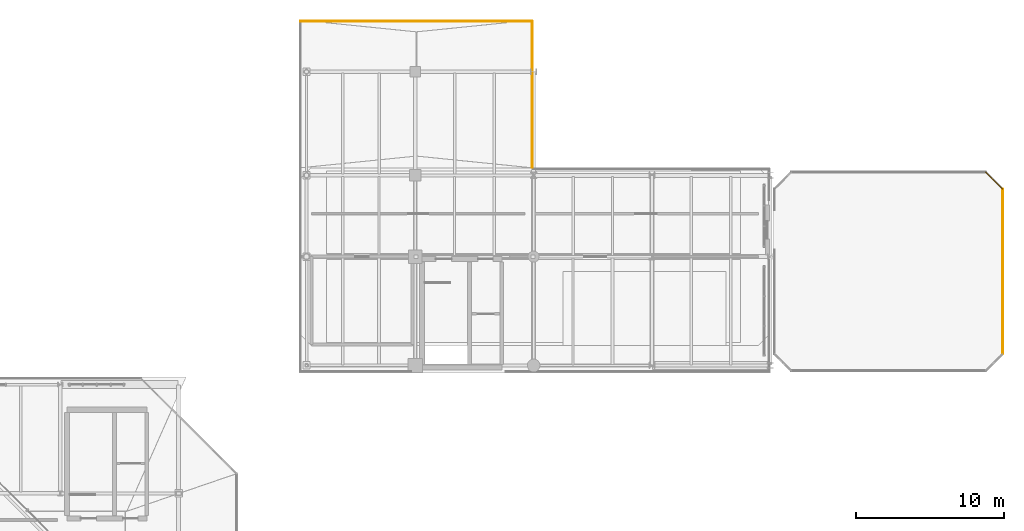
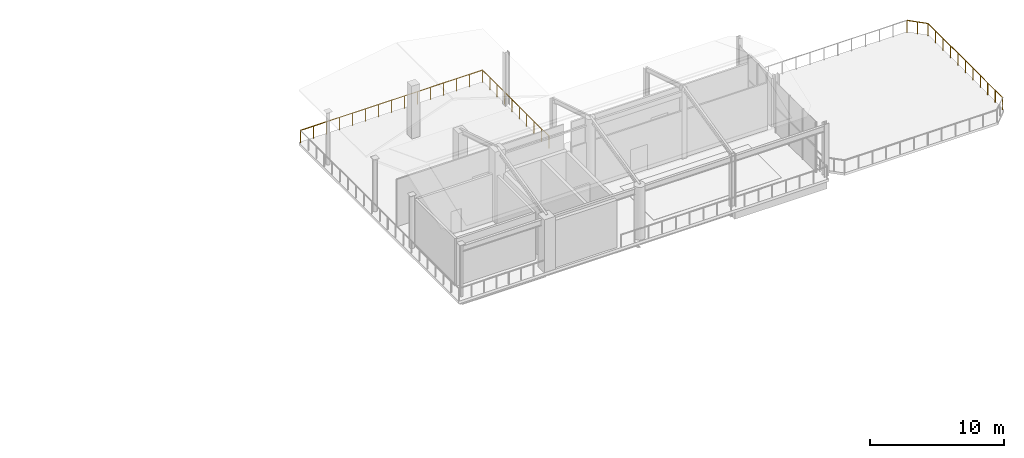
# One storey, part 30 of 30: 4 railings.
"""IFC4 building model written with IfcOpenShell, lengths in metres."""

from ifc_helpers import new_model, si_unit, direction, frame, origin, origin_2d, place, context, subcontext, project, spatial, circle, extrude, material, type_object, element, save


model = new_model("IFC4")

# Units and contexts
model_context = context("Model", 3, precision=1e-05, world=origin(), true_north=direction((0.0, 1.0)))
body_context = subcontext(model_context, "Body", "Model", "MODEL_VIEW")
ifc_project = project(units=[si_unit("LENGTHUNIT", "METRE"), si_unit("AREAUNIT", "SQUARE_METRE"), si_unit("VOLUMEUNIT", "CUBIC_METRE"), si_unit("PLANEANGLEUNIT", "RADIAN"), si_unit("MASSUNIT", "GRAM", prefix="KILO")], contexts=[model_context])

# Site, building, storey
site_placement = place(None, origin())
site = spatial("IfcSite", under=ifc_project, at=site_placement, CompositionType="ELEMENT")
building_placement = place(site_placement, origin())
building = spatial("IfcBuilding", under=site, at=building_placement, Name="Brisemont Oceanarium", CompositionType="ELEMENT")
storey_placement = place(building_placement, frame((0.0, 0.0, 19.800048828125)))
storey = spatial("IfcBuildingStorey", under=building, at=storey_placement, Name="L04", CompositionType="ELEMENT", Elevation=19.800048828125)

# Railings
ifc_material_1 = material(Name="Beaux-Arts Limestone Balustrade Precast Concrete C40/50", Category="masonry")
railing_type_1 = type_object("IfcRailingType", Name="RLG-BAL-1140", PredefinedType="BALUSTRADE", material=ifc_material_1)
railing_1_placement = place(storey_placement, frame((112.239990234375, 103.909423828125, 0.0)))
element("IfcRailing", 1, at=railing_1_placement, inside=storey, type_object=railing_type_1, Name="L04 slab perimeter safety guard 244", PredefinedType="BALUSTRADE", context=body_context, shape_type="SweptSolid", body=[
    extrude(circle(Radius=0.02392578125, at=origin_2d()), frame((0.0, 0.0, 1.11572265625), z_axis=(0.999999999514, 3.1161385e-05, 0.0), x_axis=(-3.1161385e-05, 0.999999999514, 0.0)), (0.0, 0.0, 1.0), 15.66943359375),
    extrude(circle(Radius=0.02099609375, at=origin_2d()), origin(), (0.0, 0.0, 1.0), 1.091796875),
    extrude(circle(Radius=0.02099609375, at=origin_2d()), frame((1.119140625, 0.0, 0.0)), (0.0, 0.0, 1.0), 1.091796875),
    extrude(circle(Radius=0.02099609375, at=origin_2d()), frame((2.238525390625, 0.0, 0.0)), (0.0, 0.0, 1.0), 1.091796875),
    extrude(circle(Radius=0.02099609375, at=origin_2d()), frame((3.357666015625, 0.0, 0.0)), (0.0, 0.0, 1.0), 1.091796875),
    extrude(circle(Radius=0.02099609375, at=origin_2d()), frame((4.47705078125, 0.000244140625, 0.0)), (0.0, 0.0, 1.0), 1.091796875),
    extrude(circle(Radius=0.02099609375, at=origin_2d()), frame((5.59619140625, 0.000244140625, 0.0)), (0.0, 0.0, 1.0), 1.091796875),
    extrude(circle(Radius=0.02099609375, at=origin_2d()), frame((6.715576171875, 0.000244140625, 0.0)), (0.0, 0.0, 1.0), 1.091796875),
    extrude(circle(Radius=0.02099609375, at=origin_2d()), frame((7.834716796875, 0.000244140625, 0.0)), (0.0, 0.0, 1.0), 1.091796875),
    extrude(circle(Radius=0.02099609375, at=origin_2d()), frame((8.953857421875, 0.000244140625, 0.0)), (0.0, 0.0, 1.0), 1.091796875),
    extrude(circle(Radius=0.02099609375, at=origin_2d()), frame((10.0732421875, 0.000244140625, 0.0)), (0.0, 0.0, 1.0), 1.091796875),
    extrude(circle(Radius=0.02099609375, at=origin_2d()), frame((11.1923828125, 0.000244140625, 0.0)), (0.0, 0.0, 1.0), 1.091796875),
    extrude(circle(Radius=0.02099609375, at=origin_2d()), frame((12.311767578125, 0.00048828125, 0.0)), (0.0, 0.0, 1.0), 1.091796875),
    extrude(circle(Radius=0.02099609375, at=origin_2d()), frame((13.430908203125, 0.00048828125, 0.0)), (0.0, 0.0, 1.0), 1.091796875),
    extrude(circle(Radius=0.02099609375, at=origin_2d()), frame((14.55029296875, 0.00048828125, 0.0)), (0.0, 0.0, 1.0), 1.091796875),
    extrude(circle(Radius=0.02099609375, at=origin_2d()), frame((15.66943359375, 0.00048828125, 0.0)), (0.0, 0.0, 1.0), 1.091796875),
])
ifc_material_2 = material(Name="Duplex Stainless Steel EN 1.4462", Category="steel")
railing_type_2 = type_object("IfcRailingType", Name="RLG-GUARD-1120", PredefinedType="GUARDRAIL", material=ifc_material_2)
railing_2_placement = place(storey_placement, frame((158.562744140625, 93.7099609375, 0.0)))
element("IfcRailing", 2, at=railing_2_placement, inside=storey, type_object=railing_type_2, Name="L04 slab perimeter safety guard 238", PredefinedType="GUARDRAIL", context=body_context, shape_type="SweptSolid", body=[
    extrude(circle(Radius=0.02392578125, at=origin_2d()), frame((0.0, 0.0, 1.09619140625), z_axis=(0.707106781187, -0.707106781187, 0.0), x_axis=(0.707106781187, 0.707106781187, 0.0)), (0.0, 0.0, 1.0), 1.622314453125),
    extrude(circle(Radius=0.02099609375, at=origin_2d()), origin(), (0.0, 0.0, 1.0), 1.072021484375),
    extrude(circle(Radius=0.02099609375, at=origin_2d()), frame((0.57373046875, -0.57373046875, 0.0)), (0.0, 0.0, 1.0), 1.072021484375),
    extrude(circle(Radius=0.02099609375, at=origin_2d()), frame((1.147216796875, -1.147216796875, 0.0)), (0.0, 0.0, 1.0), 1.072021484375),
])
railing_3_placement = place(storey_placement, frame((159.7099609375, 92.562744140625, 0.0)))
element("IfcRailing", 3, at=railing_3_placement, inside=storey, type_object=railing_type_2, Name="L04 slab perimeter safety guard 239", PredefinedType="GUARDRAIL", context=body_context, shape_type="SweptSolid", body=[
    extrude(circle(Radius=0.02392578125, at=origin_2d()), frame((0.0, 0.0, 1.09619140625), z_axis=(0.0, -1.0, 0.0), x_axis=(1.0, 0.0, 0.0)), (0.0, 0.0, 1.0), 11.12548828125),
    extrude(circle(Radius=0.02099609375, at=origin_2d()), origin(), (0.0, 0.0, 1.0), 1.072021484375),
    extrude(circle(Radius=0.02099609375, at=origin_2d()), frame((0.0, -1.112548828125, 0.0)), (0.0, 0.0, 1.0), 1.072021484375),
    extrude(circle(Radius=0.02099609375, at=origin_2d()), frame((0.0, -2.22509765625, 0.0)), (0.0, 0.0, 1.0), 1.072021484375),
    extrude(circle(Radius=0.02099609375, at=origin_2d()), frame((0.0, -3.337646484375, 0.0)), (0.0, 0.0, 1.0), 1.072021484375),
    extrude(circle(Radius=0.02099609375, at=origin_2d()), frame((0.0, -4.4501953125, 0.0)), (0.0, 0.0, 1.0), 1.072021484375),
    extrude(circle(Radius=0.02099609375, at=origin_2d()), frame((0.0, -5.562744140625, 0.0)), (0.0, 0.0, 1.0), 1.072021484375),
    extrude(circle(Radius=0.02099609375, at=origin_2d()), frame((0.0, -6.67529296875, 0.0)), (0.0, 0.0, 1.0), 1.072021484375),
    extrude(circle(Radius=0.02099609375, at=origin_2d()), frame((0.0, -7.787841796875, 0.0)), (0.0, 0.0, 1.0), 1.072021484375),
    extrude(circle(Radius=0.02099609375, at=origin_2d()), frame((0.0, -8.900390625, 0.0)), (0.0, 0.0, 1.0), 1.072021484375),
    extrude(circle(Radius=0.02099609375, at=origin_2d()), frame((0.0, -10.012939453125, 0.0)), (0.0, 0.0, 1.0), 1.072021484375),
    extrude(circle(Radius=0.02099609375, at=origin_2d()), frame((0.0, -11.12548828125, 0.0)), (0.0, 0.0, 1.0), 1.072021484375),
])
railing_4_placement = place(storey_placement, frame((127.909423828125, 103.909912109375, 0.0)))
element("IfcRailing", 4, at=railing_4_placement, inside=storey, type_object=railing_type_2, Name="L04 slab perimeter safety guard 245", PredefinedType="GUARDRAIL", context=body_context, shape_type="SweptSolid", body=[
    extrude(circle(Radius=0.02392578125, at=origin_2d()), frame((0.0, 0.0, 1.09619140625), z_axis=(4.9371744e-05, -0.999999998781, 0.0), x_axis=(0.999999998781, 4.9371744e-05, 0.0)), (0.0, 0.0, 1.0), 9.889892578125),
    extrude(circle(Radius=0.02099609375, at=origin_2d()), origin(), (0.0, 0.0, 1.0), 1.072021484375),
    extrude(circle(Radius=0.02099609375, at=origin_2d()), frame((0.0, -1.098876953125, 0.0)), (0.0, 0.0, 1.0), 1.072021484375),
    extrude(circle(Radius=0.02099609375, at=origin_2d()), frame((0.0, -2.19775390625, 0.0)), (0.0, 0.0, 1.0), 1.072021484375),
    extrude(circle(Radius=0.02099609375, at=origin_2d()), frame((0.000244140625, -3.296630859375, 0.0)), (0.0, 0.0, 1.0), 1.072021484375),
    extrude(circle(Radius=0.02099609375, at=origin_2d()), frame((0.000244140625, -4.3955078125, 0.0)), (0.0, 0.0, 1.0), 1.072021484375),
    extrude(circle(Radius=0.02099609375, at=origin_2d()), frame((0.000244140625, -5.494384765625, 0.0)), (0.0, 0.0, 1.0), 1.072021484375),
    extrude(circle(Radius=0.02099609375, at=origin_2d()), frame((0.000244140625, -6.59326171875, 0.0)), (0.0, 0.0, 1.0), 1.072021484375),
    extrude(circle(Radius=0.02099609375, at=origin_2d()), frame((0.00048828125, -7.692138671875, 0.0)), (0.0, 0.0, 1.0), 1.072021484375),
    extrude(circle(Radius=0.02099609375, at=origin_2d()), frame((0.00048828125, -8.791015625, 0.0)), (0.0, 0.0, 1.0), 1.072021484375),
    extrude(circle(Radius=0.02099609375, at=origin_2d()), frame((0.00048828125, -9.889892578125, 0.0)), (0.0, 0.0, 1.0), 1.072021484375),
])

save(model, "model.ifc")
